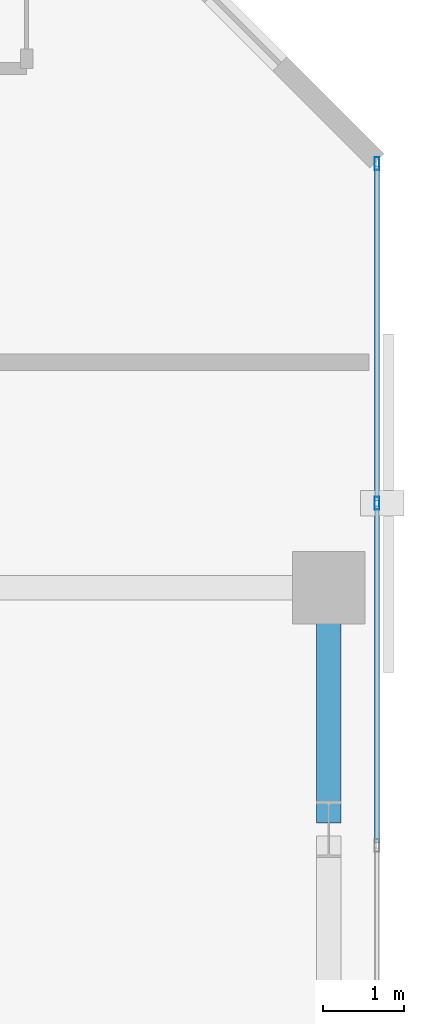
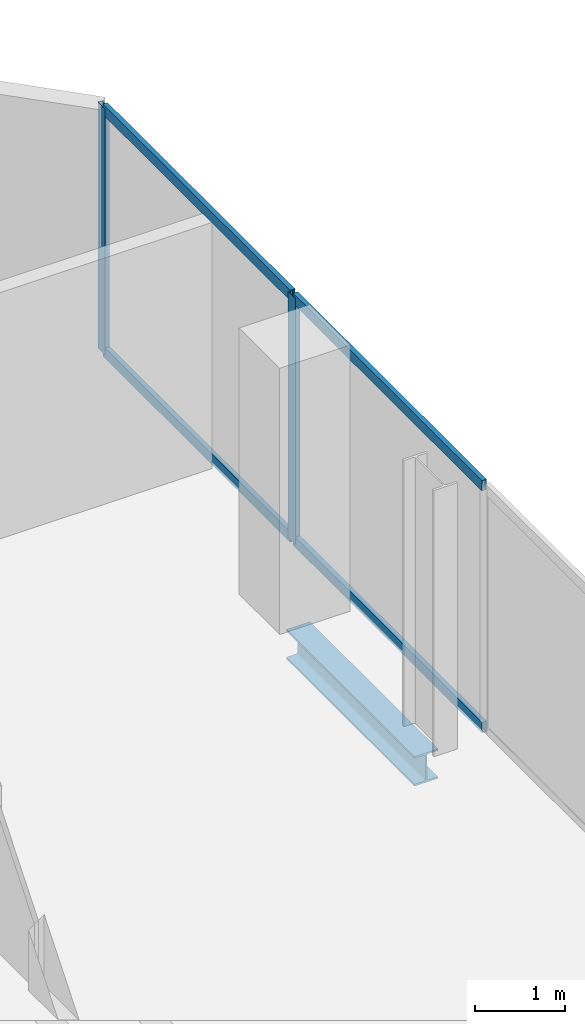
# One storey, part 26 of 34: 6 members, 1 beam, 1 element without a shape of its own.
"""IFC4 building model written with IfcOpenShell, lengths in metres."""

from ifc_helpers import new_model, si_unit, direction, frame, origin, origin_2d, place, context, subcontext, project, spatial, hollow_rectangle, i_section, extrude, material, layer, layer_set, material_profile, profile_set, type_object, element, aggregate, save


model = new_model("IFC4")

# Units and contexts
model_context = context("Model", 3, precision=1e-05, world=origin(), true_north=direction((0.0, 1.0)))
body_context = subcontext(model_context, "Body", "Model", "MODEL_VIEW")
ifc_project = project(units=[si_unit("LENGTHUNIT", "METRE"), si_unit("AREAUNIT", "SQUARE_METRE"), si_unit("VOLUMEUNIT", "CUBIC_METRE"), si_unit("PLANEANGLEUNIT", "RADIAN"), si_unit("MASSUNIT", "GRAM", prefix="KILO")], contexts=[model_context])

# Site, building, storey
site_placement = place(None, origin())
site = spatial("IfcSite", under=ifc_project, at=site_placement, CompositionType="ELEMENT")
building_placement = place(site_placement, origin())
building = spatial("IfcBuilding", under=site, at=building_placement, Name="Catumbela Crestline Tower", CompositionType="ELEMENT")
storey_placement = place(building_placement, frame((0.0, 0.0, 97.2)))
storey = spatial("IfcBuildingStorey", under=building, at=storey_placement, Name="L24", CompositionType="ELEMENT", Elevation=97.2)

# Curtain wall, members
ifc_material_1 = material(Name="Aluminium alloy AW-6060-T66", Category="aluminium")
ifc_layer = layer(ifc_material_1, 0.18, Name="Aluminium alloy AW-6060-T66")
ifc_layer_set = layer_set([ifc_layer], Name="Aluminium alloy AW-6060-T66")
curtain_wall_type = type_object("IfcCurtainWallType", Name="CWU-Z2", PredefinedType="USERDEFINED", material=ifc_layer_set)
curtain_wall_placement = place(storey_placement, origin())
curtain_wall = element("IfcCurtainWall", 1, at=curtain_wall_placement, inside=storey, type_object=curtain_wall_type, Name="L24 Unitised Curtain Wall CW-L24-E5S1", ObjectType="UNITISED", PredefinedType="USERDEFINED")
ifc_material_profile_1 = material_profile(ifc_material_1, hollow_rectangle(XDim=0.06, YDim=0.16, WallThickness=0.004, at=origin_2d()), Name="ALU 160x60x4")
ifc_profile_set_1 = profile_set([ifc_material_profile_1], Name="Aluminium alloy AW-6060-T66")
member_type_1 = type_object("IfcMemberType", Name="MUL-160X60", PredefinedType="MULLION", material=ifc_profile_set_1)
member_1_placement = place(storey_placement, frame((51.0, 40.25, 0.0), z_axis=(0.0, 0.0, 1.0), x_axis=(-1.0, 0.0, 0.0)))
member_1 = element("IfcMember", 2, at=member_1_placement, type_object=member_type_1, Name="CWU-Z2 mullion 4", PredefinedType="MULLION", context=body_context, shape_type="SweptSolid", body=[
    extrude(hollow_rectangle(XDim=0.06, YDim=0.16, WallThickness=0.004, at=origin_2d()), origin(), (0.0, 0.0, 1.0), 3.33),
])
member_2_placement = place(storey_placement, frame((51.0, 44.4675, 0.0), z_axis=(0.0, 0.0, 1.0), x_axis=(-1.0, 0.0, 0.0)))
member_2 = element("IfcMember", 3, at=member_2_placement, type_object=member_type_1, Name="CWU-Z2 mullion 5", PredefinedType="MULLION", context=body_context, shape_type="SweptSolid", body=[
    extrude(hollow_rectangle(XDim=0.06, YDim=0.16, WallThickness=0.004, at=origin_2d()), origin(), (0.0, 0.0, 1.0), 3.33),
])

# Beam
ifc_material_2 = material(Name="Structural steel S355J2", Category="steel")
ifc_material_profile_2 = material_profile(ifc_material_2, i_section(OverallWidth=0.3, OverallDepth=0.4, WebThickness=0.0135, FlangeThickness=0.024, FilletRadius=0.027, at=origin_2d()), Name="HEB 400")
ifc_profile_set_2 = profile_set([ifc_material_profile_2], Name="Structural steel S355J2")
beam_type = type_object("IfcBeamType", Name="BS-HEB400", PredefinedType="SPANDREL", material=ifc_profile_set_2)
beam_placement = place(storey_placement, frame((50.4, 36.28, -0.46), z_axis=(0.0, 1.0, 0.0), x_axis=(-1.0, 0.0, 0.0)))
element("IfcBeam", 4, at=beam_placement, inside=storey, type_object=beam_type, Name="L24 Spandrel SP-L24-SN36", PredefinedType="SPANDREL", context=body_context, shape_type="SweptSolid", body=[
    extrude(i_section(OverallWidth=0.3, OverallDepth=0.4, WebThickness=0.0135, FlangeThickness=0.024, FilletRadius=0.027, at=origin_2d()), origin(), (0.0, 0.0, 1.0), 2.84),
])

# Member
ifc_material_profile_3 = material_profile(ifc_material_1, hollow_rectangle(XDim=0.06, YDim=0.14, WallThickness=0.004, at=origin_2d()), Name="ALU 140x60x4")
ifc_profile_set_3 = profile_set([ifc_material_profile_3], Name="Aluminium alloy AW-6060-T66")
member_type_2 = type_object("IfcMemberType", Name="TRN-140X60", PredefinedType="USERDEFINED", material=ifc_profile_set_3)
member_3_placement = place(storey_placement, frame((51.0, 36.0325, 0.03), z_axis=(0.0, 1.0, 0.0), x_axis=(-1.0, 0.0, 0.0)))
member_3 = element("IfcMember", 5, at=member_3_placement, type_object=member_type_2, Name="CWU-Z2 transom 3.1", ObjectType="TRANSOM", PredefinedType="USERDEFINED", context=body_context, shape_type="SweptSolid", body=[
    extrude(hollow_rectangle(XDim=0.06, YDim=0.14, WallThickness=0.004, at=origin_2d()), origin(), (0.0, 0.0, 1.0), 4.185),
])

member_4_placement = place(storey_placement, frame((51.0, 36.0325, 3.3), z_axis=(0.0, 1.0, 0.0), x_axis=(-1.0, 0.0, 0.0)))
member_4 = element("IfcMember", 6, at=member_4_placement, type_object=member_type_2, Name="CWU-Z2 transom 3.2", ObjectType="TRANSOM", PredefinedType="USERDEFINED", context=body_context, shape_type="SweptSolid", body=[
    extrude(hollow_rectangle(XDim=0.06, YDim=0.14, WallThickness=0.004, at=origin_2d()), origin(), (0.0, 0.0, 1.0), 4.185),
])

member_5_placement = place(storey_placement, frame((51.0, 40.2825, 0.03), z_axis=(0.0, 1.0, 0.0), x_axis=(-1.0, 0.0, 0.0)))
member_5 = element("IfcMember", 7, at=member_5_placement, type_object=member_type_2, Name="CWU-Z2 transom 4.1", ObjectType="TRANSOM", PredefinedType="USERDEFINED", context=body_context, shape_type="SweptSolid", body=[
    extrude(hollow_rectangle(XDim=0.06, YDim=0.14, WallThickness=0.004, at=origin_2d()), origin(), (0.0, 0.0, 1.0), 4.1525),
])

member_6_placement = place(storey_placement, frame((51.0, 40.2825, 3.3), z_axis=(0.0, 1.0, 0.0), x_axis=(-1.0, 0.0, 0.0)))
member_6 = element("IfcMember", 8, at=member_6_placement, type_object=member_type_2, Name="CWU-Z2 transom 4.2", ObjectType="TRANSOM", PredefinedType="USERDEFINED", context=body_context, shape_type="SweptSolid", body=[
    extrude(hollow_rectangle(XDim=0.06, YDim=0.14, WallThickness=0.004, at=origin_2d()), origin(), (0.0, 0.0, 1.0), 4.1525),
])

aggregate(curtain_wall, [member_1, member_2, member_3, member_4, member_5, member_6])

save(model, "model.ifc")
